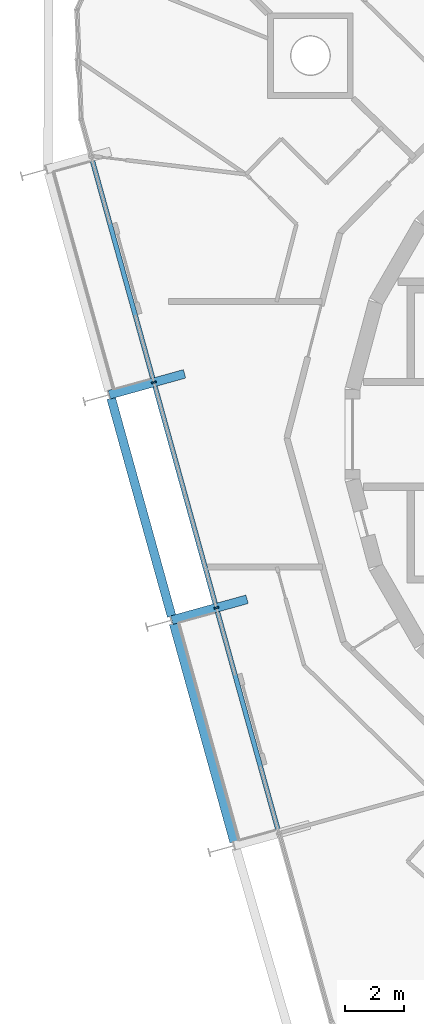
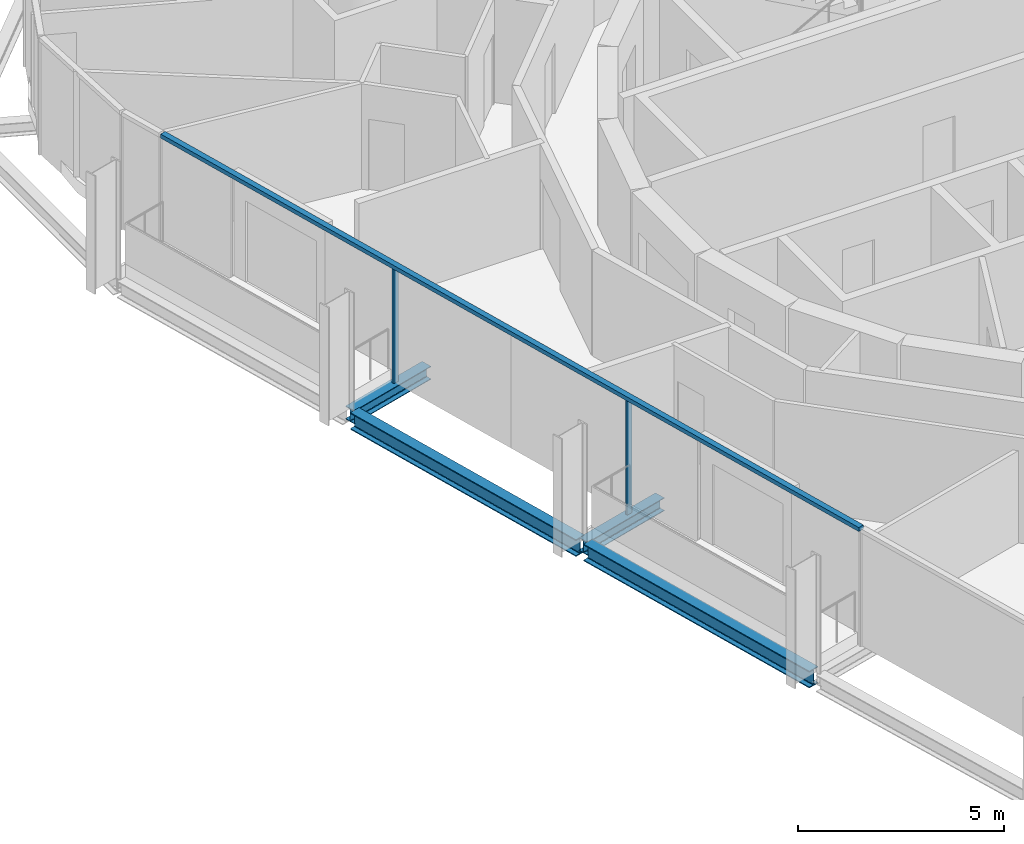
# One storey, part 3 of 15: 4 beams, 3 members, 1 element without a shape of its own.
"""IFC4 building model written with IfcOpenShell, lengths in metres."""

from ifc_helpers import new_model, si_unit, direction, frame, origin, origin_2d, place, context, subcontext, project, spatial, rectangle, i_section, extrude, material, layer, layer_set, material_profile, profile_set, type_object, element, aggregate, save


model = new_model("IFC4")

# Units and contexts
model_context = context("Model", 3, precision=1e-05, world=origin(), true_north=direction((0.0, 1.0)))
body_context = subcontext(model_context, "Body", "Model", "MODEL_VIEW")
ifc_project = project(units=[si_unit("LENGTHUNIT", "METRE"), si_unit("AREAUNIT", "SQUARE_METRE"), si_unit("VOLUMEUNIT", "CUBIC_METRE"), si_unit("PLANEANGLEUNIT", "RADIAN"), si_unit("MASSUNIT", "GRAM", prefix="KILO")], contexts=[model_context])

# Site, building, storey
site_placement = place(None, origin())
site = spatial("IfcSite", under=ifc_project, at=site_placement, CompositionType="ELEMENT")
building_placement = place(site_placement, origin())
building = spatial("IfcBuilding", under=site, at=building_placement, Name="Spindle Arch Residences", CompositionType="ELEMENT")
storey_placement = place(building_placement, frame((0.0, 0.0, 315.699951171875)))
storey = spatial("IfcBuildingStorey", under=building, at=storey_placement, Name="L81", CompositionType="ELEMENT", Elevation=315.699951171875)

# Curtain wall, members
ifc_material_1 = material(Name="Aluminium bronze unitised frame with tinted glass", Category="aluminium")
ifc_layer = layer(ifc_material_1, 0.159912109375)
ifc_layer_set = layer_set([ifc_layer], Name="CW-C typical residential unitised wall")
curtain_wall_type = type_object("IfcCurtainWallType", Name="CW-C typical residential unitised wall", PredefinedType="NOTDEFINED", material=ifc_layer_set)
curtain_wall_placement = place(storey_placement, origin())
curtain_wall = element("IfcCurtainWall", 1, at=curtain_wall_placement, inside=storey, type_object=curtain_wall_type, Name="CW-C L81 run 4", PredefinedType="NOTDEFINED")
ifc_material_2 = material(Name="Aluminium bronze anodised mullion", Category="aluminium")
ifc_material_profile_1 = material_profile(ifc_material_2, rectangle(XDim=0.159912109375, YDim=0.06005859375, at=origin_2d()), Name="MU 60x160")
ifc_profile_set_1 = profile_set([ifc_material_profile_1], Name="Aluminium bronze anodised mullion")
member_type_1 = type_object("IfcMemberType", Name="Bronze mullion 60x160", PredefinedType="MULLION", material=ifc_profile_set_1)
member_1_placement = place(storey_placement, frame((-18.384521484375, 1.763671875, -0.3798828125), z_axis=(0.0, 0.0, 1.0), x_axis=(0.963630453209, 0.267238376078, 0.0)))
member_1 = element("IfcMember", 2, at=member_1_placement, type_object=member_type_1, Name="CW-C mullion 12", PredefinedType="MULLION", context=body_context, shape_type="SweptSolid", body=[
    extrude(rectangle(XDim=0.159912109375, YDim=0.06005859375, at=origin_2d()), origin(), (0.0, 0.0, 1.0), 3.3798828125),
])
member_2_placement = place(storey_placement, frame((-16.263916015625, -5.8828125, -0.3798828125), z_axis=(0.0, 0.0, 1.0), x_axis=(0.963630453209, 0.267238376078, 0.0)))
member_2 = element("IfcMember", 3, at=member_2_placement, type_object=member_type_1, Name="CW-C mullion 13", PredefinedType="MULLION", context=body_context, shape_type="SweptSolid", body=[
    extrude(rectangle(XDim=0.159912109375, YDim=0.06005859375, at=origin_2d()), origin(), (0.0, 0.0, 1.0), 3.3798828125),
])
ifc_material_3 = material(Name="Aluminium bronze anodised transom", Category="aluminium")
ifc_material_profile_2 = material_profile(ifc_material_3, rectangle(XDim=0.159912109375, YDim=0.1201171875, at=origin_2d()), Name="TR 120x160")
ifc_profile_set_2 = profile_set([ifc_material_profile_2], Name="Aluminium bronze anodised transom")
member_type_2 = type_object("IfcMemberType", Name="Bronze transom 120x160", PredefinedType="USERDEFINED", material=ifc_profile_set_2)
member_3_placement = place(storey_placement, frame((-20.4970703125, 9.38134765625, 3.06005859375), z_axis=(0.267238704816, -0.963630362041, 0.0), x_axis=(0.963630362041, 0.267238704816, 0.0)))
member_3 = element("IfcMember", 4, at=member_3_placement, type_object=member_type_2, Name="CW-C transom 00", ObjectType="TRANSOM", PredefinedType="USERDEFINED", context=body_context, shape_type="SweptSolid", body=[
    extrude(rectangle(XDim=0.159912109375, YDim=0.1201171875, at=origin_2d()), origin(), (0.0, 0.0, 1.0), 23.745361328125),
])
aggregate(curtain_wall, [member_3, member_1, member_2])

# Beams
ifc_material_4 = material(Name="Steel S460ML, intumescent coating R 120", Category="steel")
ifc_material_profile_3 = material_profile(ifc_material_4, i_section(OverallWidth=0.300048828125, OverallDepth=0.5, WebThickness=0.014404296875, FlangeThickness=0.028076171875, FilletRadius=0.027099609375, at=origin_2d()), Name="HEB 500")
ifc_profile_set_3 = profile_set([ifc_material_profile_3], Name="Steel S460ML, intumescent coating R 120")
beam_type_1 = type_object("IfcBeamType", Name="Exoskeleton edge beam HEB 500", PredefinedType="BEAM", material=ifc_profile_set_3)
beam_1_placement = place(storey_placement, frame((-19.833740234375, 1.226806640625, -0.6298828125), z_axis=(0.26723040865, -0.963632662737, 0.0), x_axis=(0.963632662737, 0.26723040865, 0.0)))
element("IfcBeam", 5, at=beam_1_placement, inside=storey, type_object=beam_type_1, Name="Exoskeleton edge beam 13", PredefinedType="BEAM", context=body_context, shape_type="SweptSolid", body=[
    extrude(i_section(OverallWidth=0.300048828125, OverallDepth=0.5, WebThickness=0.014404296875, FlangeThickness=0.028076171875, FilletRadius=0.027099609375, at=origin_2d()), origin(), (0.0, 0.0, 1.0), 7.675048828125),
])
beam_2_placement = place(storey_placement, frame((-17.71337890625, -6.419677734375, -0.6298828125), z_axis=(0.267259946058, -0.963624471064, 0.0), x_axis=(0.963624471064, 0.267259946058, 0.0)))
element("IfcBeam", 6, at=beam_2_placement, inside=storey, type_object=beam_type_1, Name="Exoskeleton edge beam 14", PredefinedType="BEAM", context=body_context, shape_type="SweptSolid", body=[
    extrude(i_section(OverallWidth=0.300048828125, OverallDepth=0.5, WebThickness=0.014404296875, FlangeThickness=0.028076171875, FilletRadius=0.027099609375, at=origin_2d()), origin(), (0.0, 0.0, 1.0), 7.67529296875),
])
ifc_material_5 = material(Name="Steel S460ML, intumescent coating R 120", Category="steel")
ifc_material_profile_4 = material_profile(ifc_material_5, i_section(OverallWidth=0.300048828125, OverallDepth=0.389892578125, WebThickness=0.010986328125, FlangeThickness=0.01904296875, FilletRadius=0.027099609375, at=origin_2d()), Name="HEA 400")
ifc_profile_set_4 = profile_set([ifc_material_profile_4], Name="Steel S460ML, intumescent coating R 120")
beam_type_2 = type_object("IfcBeamType", Name="Floor outrigger HEA 400", PredefinedType="BEAM", material=ifc_profile_set_4)
for number, where, z_axis, x_axis, name in (
    (7, (-19.8974609375, 1.343994140625, -0.574951171875), (0.963626057771, 0.267254225009, 0.0), (-0.267254225009, 0.963626057771, 0.0), "Floor outrigger 13"),
    (8, (-17.777099609375, -6.302490234375, -0.574951171875), (0.963626057771, 0.267254225009, 0.0), (-0.267254225009, 0.963626057771, 0.0), "Floor outrigger 14"),
):
    element("IfcBeam", number, at=place(storey_placement, frame(where, z_axis=z_axis, x_axis=x_axis)), inside=storey, type_object=beam_type_2, Name=name, PredefinedType="BEAM", context=body_context, shape_type="SweptSolid", body=[
        extrude(i_section(OverallWidth=0.300048828125, OverallDepth=0.389892578125, WebThickness=0.010986328125, FlangeThickness=0.01904296875, FilletRadius=0.027099609375, at=origin_2d()), origin(), (0.0, 0.0, 1.0), 2.650146484375),
    ])

save(model, "model.ifc")
